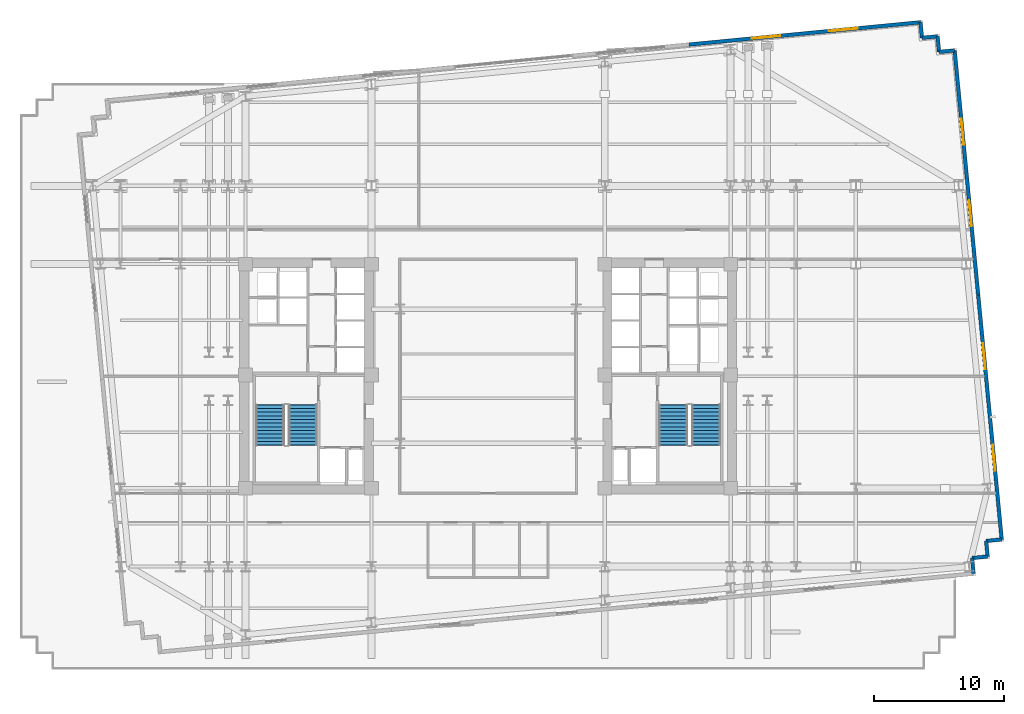
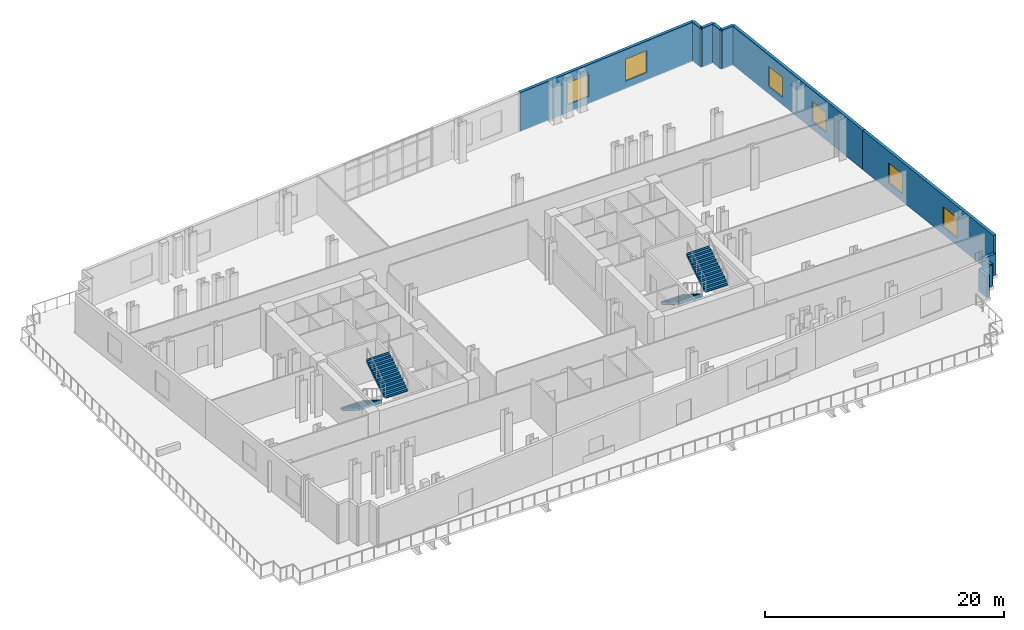
# One storey, part 9 of 14: 11 walls, 6 windows, 4 stair flights, 6 openings, 2 elements without a shape of their own.
"""IFC4 building model written with IfcOpenShell, lengths in metres."""

import ifcopenshell
import ifcopenshell.guid

model = None  # the IFC model being written
_history = None  # IfcOwnerHistory: only IFC2X3 demands one
_inside = {}  # id of a spatial element -> (the spatial element, [elements in it])
_under = {}  # id of a project, library or spatial element -> (it, [spatial elements below it])
_declared = {}  # id of a project -> (the project, [libraries it declares])
_typed = {}  # id of a type object -> (the type object, [elements of that type])
_made_of = {}  # id of a material, layer set ... -> (it, [elements and type objects made of it])


def new_model(schema):
    """Start an empty IFC model of exactly this schema.

    Asked for "IFC4X3", IfcOpenShell would pick the latest addendum, in which some entities
    have other attributes; the version numbers below select the first issue.
    IFC2X3 requires an IfcOwnerHistory on every rooted entity: one is made here for all.
    """
    global model, _history
    if schema == "IFC4X3":
        model = ifcopenshell.file(schema_version=(4, 3, 0, 0))
    else:
        model = ifcopenshell.file(schema=schema)
    _inside.clear()
    _under.clear()
    _declared.clear()
    _typed.clear()
    _made_of.clear()
    _history = None
    if model.schema == "IFC2X3":
        org = make("IfcOrganization", Name="unknown")
        user = make(
            "IfcPersonAndOrganization",
            ThePerson=make("IfcPerson", FamilyName="unknown"),
            TheOrganization=org,
        )
        app = make(
            "IfcApplication",
            ApplicationDeveloper=org,
            Version="unknown",
            ApplicationFullName="unknown",
            ApplicationIdentifier="unknown",
        )
        _history = make(
            "IfcOwnerHistory",
            OwningUser=user,
            OwningApplication=app,
            ChangeAction="ADDED",
            CreationDate=0,
        )
    return model


def make(cls, **values):
    """One entity of the class cls with the attributes given. An attribute that is None is left unset."""
    return model.create_entity(
        cls, **{name: value for name, value in values.items() if value is not None}
    )


def rooted(cls, **values):
    """An entity with a GlobalId (a new one), such as an element, a storey or a relation."""
    return make(cls, GlobalId=ifcopenshell.guid.new(), OwnerHistory=_history, **values)


def si_unit(unit_type, name, prefix=None):
    """IfcSIUnit, for example si_unit("LENGTHUNIT", "METRE", prefix="MILLI")."""
    return make("IfcSIUnit", UnitType=unit_type, Prefix=prefix, Name=name)


def assignment(units):
    """IfcUnitAssignment: the units of a project."""
    return None if units is None else make("IfcUnitAssignment", Units=units)


def point(xyz):
    """IfcCartesianPoint."""
    return None if xyz is None else make("IfcCartesianPoint", Coordinates=xyz)


def direction(xyz):
    """IfcDirection."""
    return None if xyz is None else make("IfcDirection", DirectionRatios=xyz)


def frame(location, z_axis=None, x_axis=None):
    """IfcAxis2Placement3D, a coordinate frame: its origin and axes. An axis left out is left unset."""
    return make(
        "IfcAxis2Placement3D",
        Location=point(location),
        Axis=direction(z_axis),
        RefDirection=direction(x_axis),
    )


def frame_2d(location, x_axis=None):
    """IfcAxis2Placement2D, a coordinate frame in the plane: its origin and x axis."""
    return make(
        "IfcAxis2Placement2D", Location=point(location), RefDirection=direction(x_axis)
    )


def origin():
    """The frame at (0, 0, 0) with its axes left unset."""
    return frame((0.0, 0.0, 0.0))


def place(relative_to, where):
    """IfcLocalPlacement: puts the frame where relative to a parent placement (None: the world)."""
    return make(
        "IfcLocalPlacement", PlacementRelTo=relative_to, RelativePlacement=where
    )


def context(
    kind, dimensions, precision=None, world=None, true_north=None, identifier=None
):
    """IfcGeometricRepresentationContext, for example the 3D "Model" context."""
    return make(
        "IfcGeometricRepresentationContext",
        ContextIdentifier=identifier,
        ContextType=kind,
        CoordinateSpaceDimension=dimensions,
        Precision=precision,
        WorldCoordinateSystem=world,
        TrueNorth=true_north,
    )


def subcontext(parent, identifier, kind, view, scale=None):
    """IfcGeometricRepresentationSubContext, for example "Body" below "Model"."""
    return make(
        "IfcGeometricRepresentationSubContext",
        ContextIdentifier=identifier,
        ContextType=kind,
        ParentContext=parent,
        TargetScale=scale,
        TargetView=view,
    )


def project(units=None, contexts=None):
    """IfcProject with its units and contexts."""
    return rooted(
        "IfcProject",
        Name="project",
        RepresentationContexts=contexts,
        UnitsInContext=assignment(units),
    )


def spatial(cls, under=None, at=None, **own):
    """A site, building, storey or space (cls), placed at a placement, below another one or the project."""
    s = rooted(cls, ObjectPlacement=at, **own)
    if under is not None:
        _under.setdefault(under.id(), (under, []))[1].append(s)
    return s


def polyline(points):
    """IfcPolyline through the points."""
    return make("IfcPolyline", Points=[point(p) for p in points])


def profile(cls, at=None, kind="AREA", **sizes):
    """A parametric profile (cls). Its sizes go by their IFC names, for example OverallWidth=200.0."""
    return make(cls, ProfileType=kind, Position=at, **sizes)


def rectangle(**sizes):
    """IfcRectangleProfileDef."""
    return profile("IfcRectangleProfileDef", **sizes)


def outline(outer, holes=None, kind="AREA"):
    """IfcArbitraryClosedProfileDef: a profile drawn as a closed curve; with holes, ...WithVoids."""
    if holes is None:
        return make("IfcArbitraryClosedProfileDef", ProfileType=kind, OuterCurve=outer)
    return make(
        "IfcArbitraryProfileDefWithVoids",
        ProfileType=kind,
        OuterCurve=outer,
        InnerCurves=holes,
    )


def extrude(swept, where, along, depth):
    """IfcExtrudedAreaSolid: the profile swept, set in the frame where, extruded along a direction by depth."""
    return make(
        "IfcExtrudedAreaSolid",
        SweptArea=swept,
        Position=where,
        ExtrudedDirection=direction(along),
        Depth=depth,
    )


def shape(context_of_items, identifier, shape_type, items):
    """IfcShapeRepresentation: the items that make up one representation, for example the "Body"."""
    return make(
        "IfcShapeRepresentation",
        ContextOfItems=context_of_items,
        RepresentationIdentifier=identifier,
        RepresentationType=shape_type,
        Items=items,
    )


def material(Name=None, Category=None):
    """IfcMaterial."""
    return make("IfcMaterial", Name=Name, Category=Category)


def layer(
    of_material, thickness, ventilated=None, Name=None, Category=None, Priority=None
):
    """IfcMaterialLayer: one layer of a wall or slab, of a material (None: an air gap)."""
    return make(
        "IfcMaterialLayer",
        Material=of_material,
        LayerThickness=thickness,
        IsVentilated=ventilated,
        Name=Name,
        Category=Category,
        Priority=Priority,
    )


def layer_set(layers, Name=None):
    """IfcMaterialLayerSet."""
    return make("IfcMaterialLayerSet", MaterialLayers=layers, LayerSetName=Name)


def made_of(thing, what):
    """Note that an element or type object is made of a material, layer set ...; save() writes the relation."""
    if what is not None:
        _made_of.setdefault(what.id(), (what, []))[1].append(thing)
    return thing


def type_object(cls, material=None, **own):
    """A type object (cls), such as IfcWallType, which elements share."""
    return made_of(rooted(cls, **own), material)


def element(
    cls,
    number,
    at=None,
    inside=None,
    cuts=None,
    type_object=None,
    material=None,
    context=None,
    identifier="Body",
    shape_type=None,
    held_by="IfcProductDefinitionShape",
    body=None,
    shapes=None,
    **own,
):
    """One element of the class cls, such as IfcWall. Its Tag is "e" and its number.

    at: its placement. inside: the storey or other place that contains it. cuts: it is an
    opening in that element (IfcRelVoidsElement). A single representation is given by context,
    identifier, shape_type and body (its items); several are given by shapes. held_by: the class
    of the entity that holds the representations. save() writes the other relations.
    """
    e = rooted(cls, Tag="e%d" % number, ObjectPlacement=at, **own)
    if body is not None:
        shapes = [shape(context, identifier, shape_type, body)]
    if shapes is not None:
        e.Representation = make(held_by, Representations=shapes)
    if inside is not None:
        _inside.setdefault(inside.id(), (inside, []))[1].append(e)
    if cuts is not None:
        rooted(
            "IfcRelVoidsElement", RelatingBuildingElement=cuts, RelatedOpeningElement=e
        )
    if type_object is not None:
        _typed.setdefault(type_object.id(), (type_object, []))[1].append(e)
    return made_of(e, material)


def fill(opening, filler):
    """IfcRelFillsElement: the door or window that sits in an opening."""
    return rooted(
        "IfcRelFillsElement",
        RelatingOpeningElement=opening,
        RelatedBuildingElement=filler,
    )


def aggregate(whole, parts):
    """IfcRelAggregates: a whole, such as a stair, and the parts it consists of."""
    return rooted("IfcRelAggregates", RelatingObject=whole, RelatedObjects=parts)


def save(model, path):
    """Write the relations noted so far, then the file.

    IfcRelAggregates (storeys below a building ...), IfcRelContainedInSpatialStructure (elements
    in a storey), IfcRelDefinesByType, IfcRelAssociatesMaterial and IfcRelDeclares: one each for
    every whole, place, type object, material and project.
    """
    for whole, parts in _under.values():
        aggregate(whole, parts)
    for where, things in _inside.values():
        rooted(
            "IfcRelContainedInSpatialStructure",
            RelatedElements=things,
            RelatingStructure=where,
        )
    for kind, things in _typed.values():
        rooted("IfcRelDefinesByType", RelatedObjects=things, RelatingType=kind)
    for what, things in _made_of.values():
        rooted("IfcRelAssociatesMaterial", RelatedObjects=things, RelatingMaterial=what)
    for by, libraries in _declared.values():
        rooted("IfcRelDeclares", RelatingContext=by, RelatedDefinitions=libraries)
    model.write(path)


model = new_model("IFC4")

# Units and contexts
model_context = context("Model", 3, precision=1e-05, world=origin(), true_north=direction((0.0, 1.0)))
body_context = subcontext(model_context, "Body", "Model", "MODEL_VIEW")
ifc_project = project(units=[si_unit("LENGTHUNIT", "METRE"), si_unit("AREAUNIT", "SQUARE_METRE"), si_unit("VOLUMEUNIT", "CUBIC_METRE"), si_unit("PLANEANGLEUNIT", "RADIAN"), si_unit("MASSUNIT", "GRAM", prefix="KILO")], contexts=[model_context])

# Site, building, storey
site_placement = place(None, origin())
site = spatial("IfcSite", under=ifc_project, at=site_placement, CompositionType="ELEMENT")
building_placement = place(site_placement, origin())
building = spatial("IfcBuilding", under=site, at=building_placement, Name="Velakula Bourse", CompositionType="ELEMENT")
storey_placement = place(building_placement, frame((0.0, 0.0, 70.0)))
storey = spatial("IfcBuildingStorey", under=building, at=storey_placement, Name="L18", CompositionType="ELEMENT", Elevation=70.0)

# Wall, openings, windows
ifc_material_1 = material(Name="Red kilned clay facing brick masonry", Category="masonry")
ifc_layer_1 = layer(ifc_material_1, 0.280029296875, Name="Red kilned clay facing brick masonry", Category="masonry")
ifc_layer_set_1 = layer_set([ifc_layer_1], Name="Red kilned clay facing brick masonry")
wall_type = type_object("IfcWallType", Name="WL-EXT-BRK-280", PredefinedType="STANDARD", material=ifc_layer_set_1)
wall_1_placement = place(storey_placement, frame((15.402099609375, 25.43603515625, 0.0), z_axis=(0.0, 0.0, 1.0), x_axis=(0.995395780835, 0.095850088663, 0.0)))
wall_1 = element("IfcWall", 1, at=wall_1_placement, inside=storey, type_object=wall_type, Name="L18 N Brick Spandrel Wall B5", PredefinedType="STANDARD", context=body_context, shape_type="SweptSolid", body=[
    extrude(rectangle(XDim=17.83984375, YDim=0.280029296875, at=frame_2d((8.919921875, 0.0))), origin(), (0.0, 0.0, 1.0), 4.0),
])
opening_1_placement = place(wall_1_placement, frame((4.8466796875, 0.0, 0.760009765625)))
opening_1 = element("IfcOpeningElement", 2, at=opening_1_placement, cuts=wall_1, Name="Opening W-08", PredefinedType="OPENING", context=body_context, shape_type="SweptSolid", body=[
    extrude(rectangle(XDim=2.199951171875, YDim=2.25, at=frame_2d((1.10009765625, 1.125))), frame((0.0, 0.14990234375, 0.0), z_axis=(0.0, -1.0, 0.0), x_axis=(1.0, 0.0, 0.0)), (0.0, 0.0, 1.0), 0.300048828125),
])
opening_2_placement = place(wall_1_placement, frame((10.793212890625, 0.0, 0.760009765625)))
opening_2 = element("IfcOpeningElement", 3, at=opening_2_placement, cuts=wall_1, Name="Opening W-08", PredefinedType="OPENING", context=body_context, shape_type="SweptSolid", body=[
    extrude(rectangle(XDim=2.199951171875, YDim=2.25, at=frame_2d((1.10009765625, 1.125))), frame((0.0, 0.14990234375, 0.0), z_axis=(0.0, -1.0, 0.0), x_axis=(1.0, 0.0, 0.0)), (0.0, 0.0, 1.0), 0.300048828125),
])
ifc_material_2 = material(Name="Double-glazed solar-control Low-E glass", Category="glass")
window_type_1 = type_object("IfcWindowType", Name="WIN-SL-2200x2500", PartitioningType="DOUBLE_PANEL_VERTICAL", PredefinedType="WINDOW", material=ifc_material_2)
window_1_placement = place(opening_1_placement, origin())
window_1 = element("IfcWindow", 4, at=window_1_placement, inside=storey, type_object=window_type_1, Name="L18 Deep-Set Recessed Window 1", OverallHeight=2.25, OverallWidth=2.199951171875, PartitioningType="DOUBLE_PANEL_VERTICAL", PredefinedType="WINDOW", context=body_context, shape_type="SweptSolid", body=[
    extrude(rectangle(XDim=2.199951171875, YDim=2.25, at=frame_2d((1.10009765625, 1.125))), frame((0.0, 0.030029296875, 0.0), z_axis=(0.0, -1.0, 0.0), x_axis=(1.0, 0.0, 0.0)), (0.0, 0.0, 1.0), 0.06005859375),
])
fill(opening_1, window_1)
window_2_placement = place(opening_2_placement, origin())
window_2 = element("IfcWindow", 5, at=window_2_placement, inside=storey, type_object=window_type_1, Name="L18 Deep-Set Recessed Window 2", OverallHeight=2.25, OverallWidth=2.199951171875, PartitioningType="DOUBLE_PANEL_VERTICAL", PredefinedType="WINDOW", context=body_context, shape_type="SweptSolid", body=[
    extrude(rectangle(XDim=2.199951171875, YDim=2.25, at=frame_2d((1.10009765625, 1.125))), frame((0.0, 0.030029296875, 0.0), z_axis=(0.0, -1.0, 0.0), x_axis=(1.0, 0.0, 0.0)), (0.0, 0.0, 1.0), 0.06005859375),
])
fill(opening_2, window_2)

wall_2_placement = place(storey_placement, frame((37.584716796875, 6.23388671875, 0.0), z_axis=(0.0, 0.0, 1.0), x_axis=(0.095841297881, -0.99539662729, 0.0)))
wall_2 = element("IfcWall", 6, at=wall_2_placement, inside=storey, type_object=wall_type, Name="L18 E Brick End Wall W1", PredefinedType="STANDARD", context=body_context, shape_type="SweptSolid", body=[
    extrude(rectangle(XDim=18.840087890625, YDim=0.280029296875, at=frame_2d((9.419921875, 0.0))), origin(), (0.0, 0.0, 1.0), 4.0),
])
opening_3_placement = place(wall_2_placement, frame((3.72998046875, 0.0, 0.760009765625)))
opening_3 = element("IfcOpeningElement", 7, at=opening_3_placement, cuts=wall_2, Name="Opening W-05", PredefinedType="OPENING", context=body_context, shape_type="SweptSolid", body=[
    extrude(rectangle(XDim=2.0, YDim=2.050048828125, at=frame_2d((1.0, 1.02490234375))), frame((0.0, 0.14990234375, 0.0), z_axis=(0.0, -1.0, 0.0), x_axis=(1.0, 0.0, 0.0)), (0.0, 0.0, 1.0), 0.300048828125),
])
opening_4_placement = place(wall_2_placement, frame((11.56005859375, 0.0, 0.760009765625)))
opening_4 = element("IfcOpeningElement", 8, at=opening_4_placement, cuts=wall_2, Name="Opening W-05", PredefinedType="OPENING", context=body_context, shape_type="SweptSolid", body=[
    extrude(rectangle(XDim=2.0, YDim=2.050048828125, at=frame_2d((1.0, 1.02490234375))), frame((0.0, 0.14990234375, 0.0), z_axis=(0.0, -1.0, 0.0), x_axis=(1.0, 0.0, 0.0)), (0.0, 0.0, 1.0), 0.300048828125),
])
window_type_2 = type_object("IfcWindowType", Name="WIN-TWR-2000x2200", PartitioningType="DOUBLE_PANEL_VERTICAL", PredefinedType="WINDOW", material=ifc_material_2)
window_3_placement = place(opening_3_placement, origin())
window_3 = element("IfcWindow", 9, at=window_3_placement, inside=storey, type_object=window_type_2, Name="L18 Deep-Set Recessed Window 1", OverallHeight=2.050048828125, OverallWidth=2.0, PartitioningType="DOUBLE_PANEL_VERTICAL", PredefinedType="WINDOW", context=body_context, shape_type="SweptSolid", body=[
    extrude(rectangle(XDim=2.0, YDim=2.050048828125, at=frame_2d((1.0, 1.02490234375))), frame((0.0, 0.030029296875, 0.0), z_axis=(0.0, -1.0, 0.0), x_axis=(1.0, 0.0, 0.0)), (0.0, 0.0, 1.0), 0.06005859375),
])
fill(opening_3, window_3)
window_4_placement = place(opening_4_placement, origin())
window_4 = element("IfcWindow", 10, at=window_4_placement, inside=storey, type_object=window_type_2, Name="L18 Deep-Set Recessed Window 2", OverallHeight=2.050048828125, OverallWidth=2.0, PartitioningType="DOUBLE_PANEL_VERTICAL", PredefinedType="WINDOW", context=body_context, shape_type="SweptSolid", body=[
    extrude(rectangle(XDim=2.0, YDim=2.050048828125, at=frame_2d((1.0, 1.02490234375))), frame((0.0, 0.030029296875, 0.0), z_axis=(0.0, -1.0, 0.0), x_axis=(1.0, 0.0, 0.0)), (0.0, 0.0, 1.0), 0.06005859375),
])
fill(opening_4, window_4)

wall_3_placement = place(storey_placement, frame((35.779052734375, 24.987060546875, 0.0), z_axis=(0.0, 0.0, 1.0), x_axis=(0.095842534142, -0.995396508256, 0.0)))
wall_3 = element("IfcWall", 11, at=wall_3_placement, inside=storey, type_object=wall_type, Name="L18 E Brick End Wall W2", PredefinedType="STANDARD", context=body_context, shape_type="SweptSolid", body=[
    extrude(rectangle(XDim=18.83984375, YDim=0.280029296875, at=frame_2d((9.419921875, 0.0))), origin(), (0.0, 0.0, 1.0), 4.0),
])
opening_5_placement = place(wall_3_placement, frame((5.280029296875, 0.0, 0.760009765625)))
opening_5 = element("IfcOpeningElement", 12, at=opening_5_placement, cuts=wall_3, Name="Opening W-05", PredefinedType="OPENING", context=body_context, shape_type="SweptSolid", body=[
    extrude(rectangle(XDim=2.0, YDim=2.050048828125, at=frame_2d((1.0, 1.02490234375))), frame((0.0, 0.14990234375, 0.0), z_axis=(0.0, -1.0, 0.0), x_axis=(1.0, 0.0, 0.0)), (0.0, 0.0, 1.0), 0.300048828125),
])
opening_6_placement = place(wall_3_placement, frame((11.56005859375, 0.0, 0.760009765625)))
opening_6 = element("IfcOpeningElement", 13, at=opening_6_placement, cuts=wall_3, Name="Opening W-05", PredefinedType="OPENING", context=body_context, shape_type="SweptSolid", body=[
    extrude(rectangle(XDim=2.0, YDim=2.050048828125, at=frame_2d((1.0, 1.02490234375))), frame((0.0, 0.14990234375, 0.0), z_axis=(0.0, -1.0, 0.0), x_axis=(1.0, 0.0, 0.0)), (0.0, 0.0, 1.0), 0.300048828125),
])
window_5_placement = place(opening_5_placement, origin())
window_5 = element("IfcWindow", 14, at=window_5_placement, inside=storey, type_object=window_type_2, Name="L18 Deep-Set Recessed Window 1", OverallHeight=2.050048828125, OverallWidth=2.0, PartitioningType="DOUBLE_PANEL_VERTICAL", PredefinedType="WINDOW", context=body_context, shape_type="SweptSolid", body=[
    extrude(rectangle(XDim=2.0, YDim=2.050048828125, at=frame_2d((1.0, 1.02490234375))), frame((0.0, 0.030029296875, 0.0), z_axis=(0.0, -1.0, 0.0), x_axis=(1.0, 0.0, 0.0)), (0.0, 0.0, 1.0), 0.06005859375),
])
fill(opening_5, window_5)
window_6_placement = place(opening_6_placement, origin())
window_6 = element("IfcWindow", 15, at=window_6_placement, inside=storey, type_object=window_type_2, Name="L18 Deep-Set Recessed Window 2", OverallHeight=2.050048828125, OverallWidth=2.0, PartitioningType="DOUBLE_PANEL_VERTICAL", PredefinedType="WINDOW", context=body_context, shape_type="SweptSolid", body=[
    extrude(rectangle(XDim=2.0, YDim=2.050048828125, at=frame_2d((1.0, 1.02490234375))), frame((0.0, 0.030029296875, 0.0), z_axis=(0.0, -1.0, 0.0), x_axis=(1.0, 0.0, 0.0)), (0.0, 0.0, 1.0), 0.06005859375),
])
fill(opening_6, window_6)

# Walls
for number, where, z_axis, x_axis, name in (
    (16, (37.2314453125, -15.138427734375, 0.0), (0.0, 0.0, 1.0), (-0.095817067274, 0.995398960025, 0.0), "L18 Serrated Corner Brick Wall SE-1"),
    (17, (37.116455078125, -13.94384765625, 0.0), (0.0, 0.0, 1.0), (0.995398960025, 0.095817067274, 0.0), "L18 Serrated Corner Brick Wall SE-2"),
):
    element("IfcWall", number, at=place(storey_placement, frame(where, z_axis=z_axis, x_axis=x_axis)), inside=storey, type_object=wall_type, Name=name, PredefinedType="STANDARD", context=body_context, shape_type="SweptSolid", body=[
        extrude(rectangle(XDim=1.2001953125, YDim=0.280029296875, at=frame_2d((0.60009765625, 0.0))), origin(), (0.0, 0.0, 1.0), 2.195068359375),
    ])
for number, where, z_axis, x_axis, name in (
    (18, (38.31103515625, -13.828857421875, 0.0), (0.0, 0.0, 1.0), (-0.095836473879, 0.995397091755, 0.0), "L18 Serrated Corner Brick Wall SE-3"),
    (19, (38.196044921875, -12.634521484375, 0.0), (0.0, 0.0, 1.0), (0.995397091755, 0.095836473879, 0.0), "L18 Serrated Corner Brick Wall SE-4"),
):
    element("IfcWall", number, at=place(storey_placement, frame(where, z_axis=z_axis, x_axis=x_axis)), inside=storey, type_object=wall_type, Name=name, PredefinedType="STANDARD", context=body_context, shape_type="SweptSolid", body=[
        extrude(rectangle(XDim=1.199951171875, YDim=0.280029296875, at=frame_2d((0.60009765625, 0.0))), origin(), (0.0, 0.0, 1.0), 2.195068359375),
    ])
for number, where, z_axis, x_axis, name in (
    (20, (35.779052734375, 24.987060546875, 0.0), (0.0, 0.0, 1.0), (-0.995398960025, -0.095817067274, 0.0), "L18 Serrated Corner Brick Wall NE-1"),
    (21, (34.58447265625, 24.8720703125, 0.0), (0.0, 0.0, 1.0), (-0.095817067274, 0.995398960025, 0.0), "L18 Serrated Corner Brick Wall NE-2"),
    (22, (34.469482421875, 26.066650390625, 0.0), (0.0, 0.0, 1.0), (-0.995398960025, -0.095817067274, 0.0), "L18 Serrated Corner Brick Wall NE-3"),
):
    element("IfcWall", number, at=place(storey_placement, frame(where, z_axis=z_axis, x_axis=x_axis)), inside=storey, type_object=wall_type, Name=name, PredefinedType="STANDARD", context=body_context, shape_type="SweptSolid", body=[
        extrude(rectangle(XDim=1.2001953125, YDim=0.280029296875, at=frame_2d((0.60009765625, 0.0))), origin(), (0.0, 0.0, 1.0), 4.0),
    ])
wall_4_placement = place(storey_placement, frame((33.27490234375, 25.95166015625, 0.0), z_axis=(0.0, 0.0, 1.0), x_axis=(-0.095836473879, 0.995397091755, 0.0)))
element("IfcWall", 23, at=wall_4_placement, inside=storey, type_object=wall_type, Name="L18 Serrated Corner Brick Wall NE-4", PredefinedType="STANDARD", context=body_context, shape_type="SweptSolid", body=[
    extrude(rectangle(XDim=1.199951171875, YDim=0.280029296875, at=frame_2d((0.60009765625, 0.0))), origin(), (0.0, 0.0, 1.0), 4.0),
])

# Stair, stair flights
ifc_material_3 = material(Name="Concrete M45 (fck 45 MPa)", Category="concrete")
stair_type = type_object("IfcStairType", Name="STR-DOG-435", PredefinedType="HALF_TURN_STAIR", material=ifc_material_3)
stair_1_placement = place(storey_placement, origin())
stair_1 = element("IfcStair", 24, at=stair_1_placement, inside=storey, type_object=stair_type, Name="L18 West Core Exit Stair ST-W1", PredefinedType="HALF_TURN_STAIR")
ifc_layer_2 = layer(ifc_material_3, 0.199951171875, Name="Concrete M45 (fck 45 MPa)", Category="concrete")
ifc_layer_set_2 = layer_set([ifc_layer_2], Name="Concrete M45 (fck 45 MPa)")
stair_flight_type = type_object("IfcStairFlightType", Name="FLT-DOG-435", PredefinedType="STRAIGHT", material=ifc_layer_set_2)
stair_flight_1_placement = place(storey_placement, frame((-16.720947265625, -2.199951171875, 0.0), z_axis=(0.0, 0.0, 1.0), x_axis=(0.0, -1.0, 0.0)))
stair_flight_1 = element("IfcStairFlight", 25, at=stair_flight_1_placement, type_object=stair_flight_type, Name="ST-W1 flight 1", NumberOfRisers=12, NumberOfTreads=11, PredefinedType="STRAIGHT", RiserHeight=0.175, TreadLength=0.28, context=body_context, shape_type="SweptSolid", body=[
    extrude(outline(polyline([(-0.044921875, -0.0400390625), (-0.044921875, -0.036865234375), (-0.044921875, -0.033935546875), (-0.044921875, -0.03076171875), (-0.044921875, -0.027587890625), (-0.044921875, -0.024658203125), (-0.044921875, -0.021484375), (-0.044921875, -0.0185546875), (-0.044921875, -0.015380859375), (-0.044921875, -0.01220703125), (-0.044921875, -0.00927734375), (-0.044921875, -0.006103515625), (-0.044921875, -0.003173828125), (-0.044921875, 0.0), (0.0, 0.0), (0.0, 0.175048828125), (0.280029296875, 0.175048828125), (0.280029296875, 0.35009765625), (0.56005859375, 0.35009765625), (0.56005859375, 0.52490234375), (0.840087890625, 0.52490234375), (0.840087890625, 0.699951171875), (1.1201171875, 0.699951171875), (1.1201171875, 0.875), (1.39990234375, 0.875), (1.39990234375, 1.050048828125), (1.679931640625, 1.050048828125), (1.679931640625, 1.22509765625), (1.9599609375, 1.22509765625), (1.9599609375, 1.39990234375), (2.239990234375, 1.39990234375), (2.239990234375, 1.574951171875), (2.52001953125, 1.574951171875), (2.52001953125, 1.75), (2.800048828125, 1.75), (2.800048828125, 1.925048828125), (3.080078125, 1.925048828125), (3.080078125, 2.10009765625), (3.125, 2.10009765625), (3.125, 2.074951171875), (3.125, 2.0498046875), (3.125, 2.024658203125), (3.125, 1.99951171875), (3.125, 1.974365234375), (3.125, 1.94921875), (3.125, 1.924072265625), (3.125, 1.89892578125), (3.125, 1.873779296875), (3.125, 1.8486328125), (3.125, 1.823486328125), (3.125, 1.798583984375), (3.125, 1.7734375), (3.125, 1.748291015625), (0.28271484375, -0.0400390625), (-0.044921875, -0.0400390625)])), frame((0.0, 1.09912109375, 0.0), z_axis=(0.0, -1.0, 0.0), x_axis=(1.0, 0.0, 0.0)), (0.0, 0.0, 1.0), 2.197998046875),
])
stair_flight_2_placement = place(storey_placement, frame((-14.198974609375, -5.280029296875, 2.10009765625), z_axis=(0.0, 0.0, 1.0), x_axis=(0.0, 1.0, 0.0)))
stair_flight_2 = element("IfcStairFlight", 26, at=stair_flight_2_placement, type_object=stair_flight_type, Name="ST-W1 flight 2", NumberOfRisers=12, NumberOfTreads=11, PredefinedType="STRAIGHT", RiserHeight=0.175, TreadLength=0.28, context=body_context, shape_type="SweptSolid", body=[
    extrude(outline(polyline([(-0.044921875, -0.0400390625), (-0.044921875, -0.036865234375), (-0.044921875, -0.033935546875), (-0.044921875, -0.03076171875), (-0.044921875, -0.027587890625), (-0.044921875, -0.024658203125), (-0.044921875, -0.021484375), (-0.044921875, -0.0185546875), (-0.044921875, -0.015380859375), (-0.044921875, -0.01220703125), (-0.044921875, -0.00927734375), (-0.044921875, -0.006103515625), (-0.044921875, -0.003173828125), (-0.044921875, 0.0), (0.0, 0.0), (0.0, 0.175048828125), (0.280029296875, 0.175048828125), (0.280029296875, 0.35009765625), (0.56005859375, 0.35009765625), (0.56005859375, 0.52490234375), (0.840087890625, 0.52490234375), (0.840087890625, 0.699951171875), (1.1201171875, 0.699951171875), (1.1201171875, 0.875), (1.39990234375, 0.875), (1.39990234375, 1.050048828125), (1.679931640625, 1.050048828125), (1.679931640625, 1.22509765625), (1.9599609375, 1.22509765625), (1.9599609375, 1.39990234375), (2.239990234375, 1.39990234375), (2.239990234375, 1.574951171875), (2.52001953125, 1.574951171875), (2.52001953125, 1.75), (2.800048828125, 1.75), (2.800048828125, 1.925048828125), (3.080078125, 1.925048828125), (3.080078125, 2.10009765625), (3.125, 2.10009765625), (3.125, 2.074951171875), (3.125, 2.0498046875), (3.125, 2.024658203125), (3.125, 1.99951171875), (3.125, 1.974365234375), (3.125, 1.94921875), (3.125, 1.924072265625), (3.125, 1.89892578125), (3.125, 1.873779296875), (3.125, 1.8486328125), (3.125, 1.823486328125), (3.125, 1.798583984375), (3.125, 1.7734375), (3.125, 1.748291015625), (0.28271484375, -0.0400390625), (-0.044921875, -0.0400390625)])), frame((0.0, 1.09912109375, 0.0), z_axis=(0.0, -1.0, 0.0), x_axis=(1.0, 0.0, 0.0)), (0.0, 0.0, 1.0), 2.197998046875),
])
aggregate(stair_1, [stair_flight_1, stair_flight_2])

stair_2_placement = place(storey_placement, origin())
stair_2 = element("IfcStair", 27, at=stair_2_placement, inside=storey, type_object=stair_type, Name="L18 East Core Exit Stair ST-E1", PredefinedType="HALF_TURN_STAIR")
stair_flight_3_placement = place(storey_placement, frame((14.198974609375, -2.199951171875, 0.0), z_axis=(0.0, 0.0, 1.0), x_axis=(0.0, -1.0, 0.0)))
stair_flight_3 = element("IfcStairFlight", 28, at=stair_flight_3_placement, type_object=stair_flight_type, Name="ST-E1 flight 1", NumberOfRisers=12, NumberOfTreads=11, PredefinedType="STRAIGHT", RiserHeight=0.175, TreadLength=0.28, context=body_context, shape_type="SweptSolid", body=[
    extrude(outline(polyline([(-0.044921875, -0.0400390625), (-0.044921875, -0.036865234375), (-0.044921875, -0.033935546875), (-0.044921875, -0.03076171875), (-0.044921875, -0.027587890625), (-0.044921875, -0.024658203125), (-0.044921875, -0.021484375), (-0.044921875, -0.0185546875), (-0.044921875, -0.015380859375), (-0.044921875, -0.01220703125), (-0.044921875, -0.00927734375), (-0.044921875, -0.006103515625), (-0.044921875, -0.003173828125), (-0.044921875, 0.0), (0.0, 0.0), (0.0, 0.175048828125), (0.280029296875, 0.175048828125), (0.280029296875, 0.35009765625), (0.56005859375, 0.35009765625), (0.56005859375, 0.52490234375), (0.840087890625, 0.52490234375), (0.840087890625, 0.699951171875), (1.1201171875, 0.699951171875), (1.1201171875, 0.875), (1.39990234375, 0.875), (1.39990234375, 1.050048828125), (1.679931640625, 1.050048828125), (1.679931640625, 1.22509765625), (1.9599609375, 1.22509765625), (1.9599609375, 1.39990234375), (2.239990234375, 1.39990234375), (2.239990234375, 1.574951171875), (2.52001953125, 1.574951171875), (2.52001953125, 1.75), (2.800048828125, 1.75), (2.800048828125, 1.925048828125), (3.080078125, 1.925048828125), (3.080078125, 2.10009765625), (3.125, 2.10009765625), (3.125, 2.074951171875), (3.125, 2.0498046875), (3.125, 2.024658203125), (3.125, 1.99951171875), (3.125, 1.974365234375), (3.125, 1.94921875), (3.125, 1.924072265625), (3.125, 1.89892578125), (3.125, 1.873779296875), (3.125, 1.8486328125), (3.125, 1.823486328125), (3.125, 1.798583984375), (3.125, 1.7734375), (3.125, 1.748291015625), (0.28271484375, -0.0400390625), (-0.044921875, -0.0400390625)])), frame((0.0, 1.09912109375, 0.0), z_axis=(0.0, -1.0, 0.0), x_axis=(1.0, 0.0, 0.0)), (0.0, 0.0, 1.0), 2.197998046875),
])
stair_flight_4_placement = place(storey_placement, frame((16.720947265625, -5.280029296875, 2.10009765625), z_axis=(0.0, 0.0, 1.0), x_axis=(0.0, 1.0, 0.0)))
stair_flight_4 = element("IfcStairFlight", 29, at=stair_flight_4_placement, type_object=stair_flight_type, Name="ST-E1 flight 2", NumberOfRisers=12, NumberOfTreads=11, PredefinedType="STRAIGHT", RiserHeight=0.175, TreadLength=0.28, context=body_context, shape_type="SweptSolid", body=[
    extrude(outline(polyline([(-0.044921875, -0.0400390625), (-0.044921875, -0.036865234375), (-0.044921875, -0.033935546875), (-0.044921875, -0.03076171875), (-0.044921875, -0.027587890625), (-0.044921875, -0.024658203125), (-0.044921875, -0.021484375), (-0.044921875, -0.0185546875), (-0.044921875, -0.015380859375), (-0.044921875, -0.01220703125), (-0.044921875, -0.00927734375), (-0.044921875, -0.006103515625), (-0.044921875, -0.003173828125), (-0.044921875, 0.0), (0.0, 0.0), (0.0, 0.175048828125), (0.280029296875, 0.175048828125), (0.280029296875, 0.35009765625), (0.56005859375, 0.35009765625), (0.56005859375, 0.52490234375), (0.840087890625, 0.52490234375), (0.840087890625, 0.699951171875), (1.1201171875, 0.699951171875), (1.1201171875, 0.875), (1.39990234375, 0.875), (1.39990234375, 1.050048828125), (1.679931640625, 1.050048828125), (1.679931640625, 1.22509765625), (1.9599609375, 1.22509765625), (1.9599609375, 1.39990234375), (2.239990234375, 1.39990234375), (2.239990234375, 1.574951171875), (2.52001953125, 1.574951171875), (2.52001953125, 1.75), (2.800048828125, 1.75), (2.800048828125, 1.925048828125), (3.080078125, 1.925048828125), (3.080078125, 2.10009765625), (3.125, 2.10009765625), (3.125, 2.074951171875), (3.125, 2.0498046875), (3.125, 2.024658203125), (3.125, 1.99951171875), (3.125, 1.974365234375), (3.125, 1.94921875), (3.125, 1.924072265625), (3.125, 1.89892578125), (3.125, 1.873779296875), (3.125, 1.8486328125), (3.125, 1.823486328125), (3.125, 1.798583984375), (3.125, 1.7734375), (3.125, 1.748291015625), (0.28271484375, -0.0400390625), (-0.044921875, -0.0400390625)])), frame((0.0, 1.09912109375, 0.0), z_axis=(0.0, -1.0, 0.0), x_axis=(1.0, 0.0, 0.0)), (0.0, 0.0, 1.0), 2.197998046875),
])
aggregate(stair_2, [stair_flight_3, stair_flight_4])

save(model, "model.ifc")
